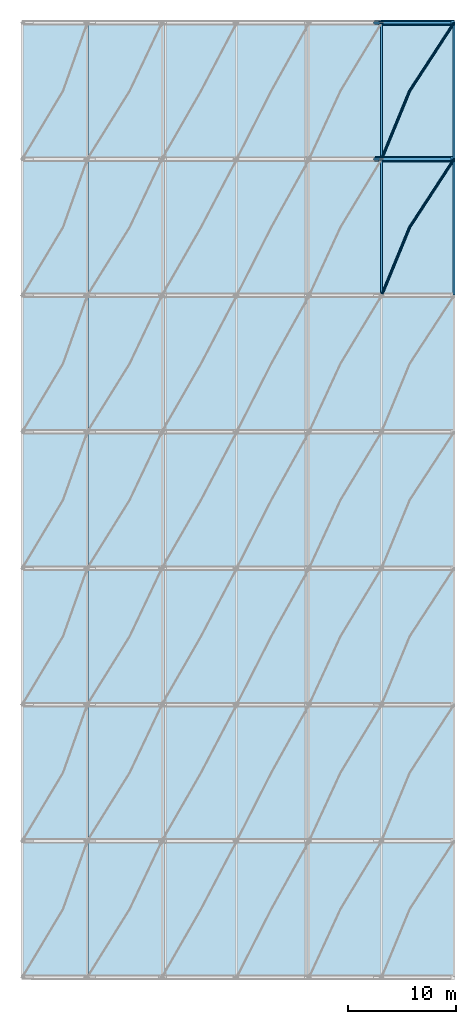
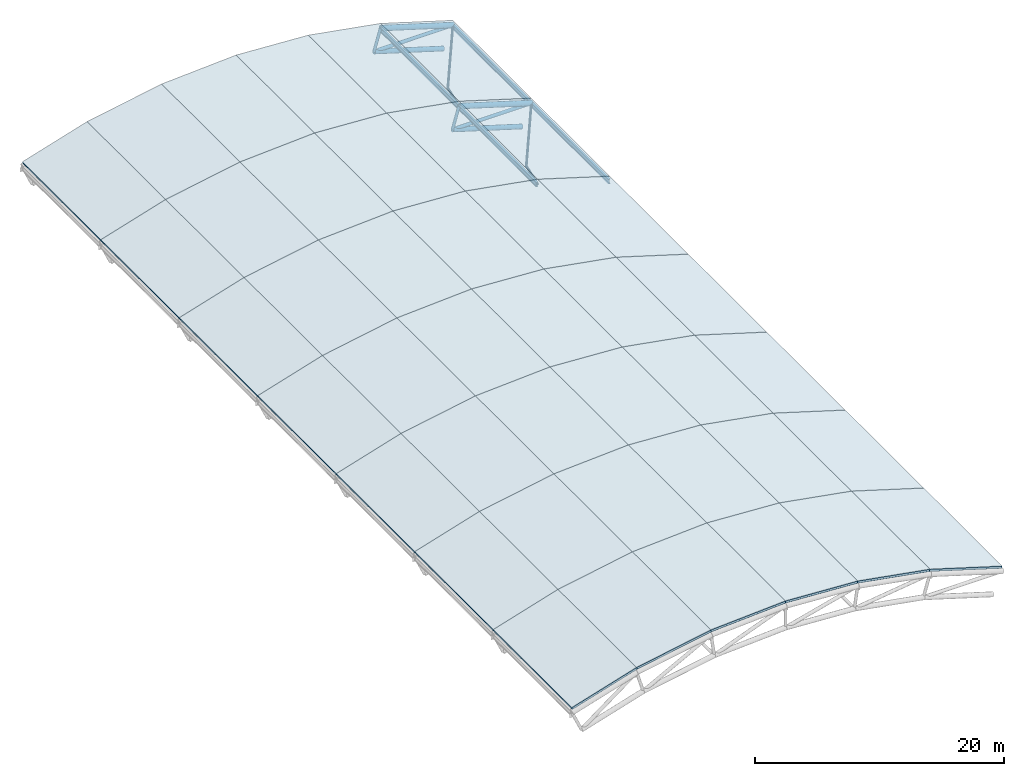
# One storey, part 12 of 18: 42 slabs, 16 members.
"""IFC4 building model written with IfcOpenShell, lengths in metres."""

import ifcopenshell
import ifcopenshell.guid

model = None  # the IFC model being written
_history = None  # IfcOwnerHistory: only IFC2X3 demands one
_inside = {}  # id of a spatial element -> (the spatial element, [elements in it])
_under = {}  # id of a project, library or spatial element -> (it, [spatial elements below it])
_declared = {}  # id of a project -> (the project, [libraries it declares])
_typed = {}  # id of a type object -> (the type object, [elements of that type])
_made_of = {}  # id of a material, layer set ... -> (it, [elements and type objects made of it])


def new_model(schema):
    """Start an empty IFC model of exactly this schema.

    Asked for "IFC4X3", IfcOpenShell would pick the latest addendum, in which some entities
    have other attributes; the version numbers below select the first issue.
    IFC2X3 requires an IfcOwnerHistory on every rooted entity: one is made here for all.
    """
    global model, _history
    if schema == "IFC4X3":
        model = ifcopenshell.file(schema_version=(4, 3, 0, 0))
    else:
        model = ifcopenshell.file(schema=schema)
    _inside.clear()
    _under.clear()
    _declared.clear()
    _typed.clear()
    _made_of.clear()
    _history = None
    if model.schema == "IFC2X3":
        org = make("IfcOrganization", Name="unknown")
        user = make(
            "IfcPersonAndOrganization",
            ThePerson=make("IfcPerson", FamilyName="unknown"),
            TheOrganization=org,
        )
        app = make(
            "IfcApplication",
            ApplicationDeveloper=org,
            Version="unknown",
            ApplicationFullName="unknown",
            ApplicationIdentifier="unknown",
        )
        _history = make(
            "IfcOwnerHistory",
            OwningUser=user,
            OwningApplication=app,
            ChangeAction="ADDED",
            CreationDate=0,
        )
    return model


def make(cls, **values):
    """One entity of the class cls with the attributes given. An attribute that is None is left unset."""
    return model.create_entity(
        cls, **{name: value for name, value in values.items() if value is not None}
    )


def rooted(cls, **values):
    """An entity with a GlobalId (a new one), such as an element, a storey or a relation."""
    return make(cls, GlobalId=ifcopenshell.guid.new(), OwnerHistory=_history, **values)


def si_unit(unit_type, name, prefix=None):
    """IfcSIUnit, for example si_unit("LENGTHUNIT", "METRE", prefix="MILLI")."""
    return make("IfcSIUnit", UnitType=unit_type, Prefix=prefix, Name=name)


def derived_unit(unit_type, elements):
    """IfcDerivedUnit: a product of units, each with its exponent."""
    return make(
        "IfcDerivedUnit",
        Elements=[
            make("IfcDerivedUnitElement", Unit=unit, Exponent=power)
            for unit, power in elements
        ],
        UnitType=unit_type,
    )


def assignment(units):
    """IfcUnitAssignment: the units of a project."""
    return None if units is None else make("IfcUnitAssignment", Units=units)


def point(xyz):
    """IfcCartesianPoint."""
    return None if xyz is None else make("IfcCartesianPoint", Coordinates=xyz)


def direction(xyz):
    """IfcDirection."""
    return None if xyz is None else make("IfcDirection", DirectionRatios=xyz)


def frame(location, z_axis=None, x_axis=None):
    """IfcAxis2Placement3D, a coordinate frame: its origin and axes. An axis left out is left unset."""
    return make(
        "IfcAxis2Placement3D",
        Location=point(location),
        Axis=direction(z_axis),
        RefDirection=direction(x_axis),
    )


def frame_2d(location, x_axis=None):
    """IfcAxis2Placement2D, a coordinate frame in the plane: its origin and x axis."""
    return make(
        "IfcAxis2Placement2D", Location=point(location), RefDirection=direction(x_axis)
    )


def origin():
    """The frame at (0, 0, 0) with its axes left unset."""
    return frame((0.0, 0.0, 0.0))


def origin_2d():
    """The frame at (0, 0) in the plane with its x axis left unset."""
    return frame_2d((0.0, 0.0))


def place(relative_to, where):
    """IfcLocalPlacement: puts the frame where relative to a parent placement (None: the world)."""
    return make(
        "IfcLocalPlacement", PlacementRelTo=relative_to, RelativePlacement=where
    )


def context(
    kind, dimensions, precision=None, world=None, true_north=None, identifier=None
):
    """IfcGeometricRepresentationContext, for example the 3D "Model" context."""
    return make(
        "IfcGeometricRepresentationContext",
        ContextIdentifier=identifier,
        ContextType=kind,
        CoordinateSpaceDimension=dimensions,
        Precision=precision,
        WorldCoordinateSystem=world,
        TrueNorth=true_north,
    )


def subcontext(parent, identifier, kind, view, scale=None):
    """IfcGeometricRepresentationSubContext, for example "Body" below "Model"."""
    return make(
        "IfcGeometricRepresentationSubContext",
        ContextIdentifier=identifier,
        ContextType=kind,
        ParentContext=parent,
        TargetScale=scale,
        TargetView=view,
    )


def project(units=None, contexts=None):
    """IfcProject with its units and contexts."""
    return rooted(
        "IfcProject",
        Name="project",
        RepresentationContexts=contexts,
        UnitsInContext=assignment(units),
    )


def spatial(cls, under=None, at=None, **own):
    """A site, building, storey or space (cls), placed at a placement, below another one or the project."""
    s = rooted(cls, ObjectPlacement=at, **own)
    if under is not None:
        _under.setdefault(under.id(), (under, []))[1].append(s)
    return s


def polyline(points):
    """IfcPolyline through the points."""
    return make("IfcPolyline", Points=[point(p) for p in points])


def profile(cls, at=None, kind="AREA", **sizes):
    """A parametric profile (cls). Its sizes go by their IFC names, for example OverallWidth=200.0."""
    return make(cls, ProfileType=kind, Position=at, **sizes)


def hollow_circle(**sizes):
    """IfcCircleHollowProfileDef."""
    return profile("IfcCircleHollowProfileDef", **sizes)


def i_section(**sizes):
    """IfcIShapeProfileDef."""
    return profile("IfcIShapeProfileDef", **sizes)


def outline(outer, holes=None, kind="AREA"):
    """IfcArbitraryClosedProfileDef: a profile drawn as a closed curve; with holes, ...WithVoids."""
    if holes is None:
        return make("IfcArbitraryClosedProfileDef", ProfileType=kind, OuterCurve=outer)
    return make(
        "IfcArbitraryProfileDefWithVoids",
        ProfileType=kind,
        OuterCurve=outer,
        InnerCurves=holes,
    )


def extrude(swept, where, along, depth):
    """IfcExtrudedAreaSolid: the profile swept, set in the frame where, extruded along a direction by depth."""
    return make(
        "IfcExtrudedAreaSolid",
        SweptArea=swept,
        Position=where,
        ExtrudedDirection=direction(along),
        Depth=depth,
    )


def shape(context_of_items, identifier, shape_type, items):
    """IfcShapeRepresentation: the items that make up one representation, for example the "Body"."""
    return make(
        "IfcShapeRepresentation",
        ContextOfItems=context_of_items,
        RepresentationIdentifier=identifier,
        RepresentationType=shape_type,
        Items=items,
    )


def material(Name=None, Category=None):
    """IfcMaterial."""
    return make("IfcMaterial", Name=Name, Category=Category)


def layer(
    of_material, thickness, ventilated=None, Name=None, Category=None, Priority=None
):
    """IfcMaterialLayer: one layer of a wall or slab, of a material (None: an air gap)."""
    return make(
        "IfcMaterialLayer",
        Material=of_material,
        LayerThickness=thickness,
        IsVentilated=ventilated,
        Name=Name,
        Category=Category,
        Priority=Priority,
    )


def layer_set(layers, Name=None):
    """IfcMaterialLayerSet."""
    return make("IfcMaterialLayerSet", MaterialLayers=layers, LayerSetName=Name)


def material_profile(
    of_material, cross_section, Name=None, Category=None, Priority=None
):
    """IfcMaterialProfile: a cross section and its material."""
    return make(
        "IfcMaterialProfile",
        Name=Name,
        Material=of_material,
        Profile=cross_section,
        Priority=Priority,
        Category=Category,
    )


def profile_set(profiles, Name=None, composite=None):
    """IfcMaterialProfileSet."""
    return make(
        "IfcMaterialProfileSet",
        Name=Name,
        MaterialProfiles=profiles,
        CompositeProfile=composite,
    )


def made_of(thing, what):
    """Note that an element or type object is made of a material, layer set ...; save() writes the relation."""
    if what is not None:
        _made_of.setdefault(what.id(), (what, []))[1].append(thing)
    return thing


def type_object(cls, material=None, **own):
    """A type object (cls), such as IfcWallType, which elements share."""
    return made_of(rooted(cls, **own), material)


def element(
    cls,
    number,
    at=None,
    inside=None,
    cuts=None,
    type_object=None,
    material=None,
    context=None,
    identifier="Body",
    shape_type=None,
    held_by="IfcProductDefinitionShape",
    body=None,
    shapes=None,
    **own,
):
    """One element of the class cls, such as IfcWall. Its Tag is "e" and its number.

    at: its placement. inside: the storey or other place that contains it. cuts: it is an
    opening in that element (IfcRelVoidsElement). A single representation is given by context,
    identifier, shape_type and body (its items); several are given by shapes. held_by: the class
    of the entity that holds the representations. save() writes the other relations.
    """
    e = rooted(cls, Tag="e%d" % number, ObjectPlacement=at, **own)
    if body is not None:
        shapes = [shape(context, identifier, shape_type, body)]
    if shapes is not None:
        e.Representation = make(held_by, Representations=shapes)
    if inside is not None:
        _inside.setdefault(inside.id(), (inside, []))[1].append(e)
    if cuts is not None:
        rooted(
            "IfcRelVoidsElement", RelatingBuildingElement=cuts, RelatedOpeningElement=e
        )
    if type_object is not None:
        _typed.setdefault(type_object.id(), (type_object, []))[1].append(e)
    return made_of(e, material)


def aggregate(whole, parts):
    """IfcRelAggregates: a whole, such as a stair, and the parts it consists of."""
    return rooted("IfcRelAggregates", RelatingObject=whole, RelatedObjects=parts)


def save(model, path):
    """Write the relations noted so far, then the file.

    IfcRelAggregates (storeys below a building ...), IfcRelContainedInSpatialStructure (elements
    in a storey), IfcRelDefinesByType, IfcRelAssociatesMaterial and IfcRelDeclares: one each for
    every whole, place, type object, material and project.
    """
    for whole, parts in _under.values():
        aggregate(whole, parts)
    for where, things in _inside.values():
        rooted(
            "IfcRelContainedInSpatialStructure",
            RelatedElements=things,
            RelatingStructure=where,
        )
    for kind, things in _typed.values():
        rooted("IfcRelDefinesByType", RelatedObjects=things, RelatingType=kind)
    for what, things in _made_of.values():
        rooted("IfcRelAssociatesMaterial", RelatedObjects=things, RelatingMaterial=what)
    for by, libraries in _declared.values():
        rooted("IfcRelDeclares", RelatingContext=by, RelatedDefinitions=libraries)
    model.write(path)


model = new_model("IFC4")

# Units and contexts
model_context = context("Model", 3, precision=1e-05, world=origin(), true_north=direction((0.0, 1.0)))
body_context = subcontext(model_context, "Body", "Model", "MODEL_VIEW")
ifc_project = project(units=[si_unit("LENGTHUNIT", "METRE"), si_unit("AREAUNIT", "SQUARE_METRE"), si_unit("VOLUMEUNIT", "CUBIC_METRE"), si_unit("PLANEANGLEUNIT", "RADIAN"), si_unit("MASSUNIT", "GRAM", prefix="KILO"), derived_unit("THERMALTRANSMITTANCEUNIT", [(si_unit("MASSUNIT", "GRAM", prefix="KILO"), 1), (si_unit("TIMEUNIT", "SECOND"), -3), (si_unit("THERMODYNAMICTEMPERATUREUNIT", "KELVIN"), -1)])], contexts=[model_context])

# Site, building, storey
site_placement = place(None, origin())
site = spatial("IfcSite", under=ifc_project, at=site_placement, CompositionType="ELEMENT")
building_placement = place(site_placement, origin())
building = spatial("IfcBuilding", under=site, at=building_placement, Name="Valcora Ridge Arena", CompositionType="ELEMENT")
storey_placement = place(building_placement, frame((0.0, 0.0, 39.800048828125)))
storey = spatial("IfcBuildingStorey", under=building, at=storey_placement, Name="RF", CompositionType="ELEMENT", Elevation=39.800048828125)

# Members
ifc_material_1 = material(Name="Steel ASTM A572 Grade 50", Category="steel")
ifc_material_profile_1 = material_profile(ifc_material_1, i_section(OverallWidth=0.18994140625, OverallDepth=0.45703125, WebThickness=0.009033203125, FlangeThickness=0.014404296875, FilletRadius=0.014892578125, at=origin_2d()), Name="W18X50")
ifc_profile_set_1 = profile_set([ifc_material_profile_1], Name="Steel ASTM A572 Grade 50")
member_type_1 = type_object("IfcMemberType", Name="TY-MEMBER-PUR-W18X50", PredefinedType="PURLIN", material=ifc_profile_set_1)
for number, where, z_axis, x_axis, name in (
    (1, (69.199951171875, 83.050048828125, -0.510986328125), (0.0, 1.0, 0.0), (-1.0, 0.0, 0.0), "PUR-W18X50 SF-PR-PUR-W18X50-0068"),
    (2, (75.89990234375, 83.050048828125, -2.565185546875), (0.0, 1.0, 0.0), (-1.0, 0.0, 0.0), "PUR-W18X50 SF-PR-PUR-W18X50-0069"),
    (3, (69.199951171875, 95.64990234375, -0.510986328125), (0.0, 1.0, 0.0), (-1.0, 0.0, 0.0), "PUR-W18X50 SF-PR-PUR-W18X50-0080"),
    (4, (75.89990234375, 95.64990234375, -2.565185546875), (0.0, 1.0, 0.0), (-1.0, 0.0, 0.0), "PUR-W18X50 SF-PR-PUR-W18X50-0081"),
):
    element("IfcMember", number, at=place(storey_placement, frame(where, z_axis=z_axis, x_axis=x_axis)), inside=storey, type_object=member_type_1, Name=name, PredefinedType="PURLIN", context=body_context, shape_type="SweptSolid", body=[
        extrude(i_section(OverallWidth=0.18994140625, OverallDepth=0.45703125, WebThickness=0.009033203125, FlangeThickness=0.014404296875, FilletRadius=0.014892578125, at=origin_2d()), origin(), (0.0, 0.0, 1.0), 12.5),
    ])
ifc_material_2 = material(Name="Steel ASTM A500 Grade C", Category="steel")
ifc_material_profile_2 = material_profile(ifc_material_2, hollow_circle(Radius=0.228515625, WallThickness=0.01611328125, at=origin_2d()), Name="CHS457X16")
ifc_profile_set_2 = profile_set([ifc_material_profile_2], Name="Steel ASTM A500 Grade C")
member_type_2 = type_object("IfcMemberType", Name="TY-MEMBER-SFBC-457", PredefinedType="CHORD", material=ifc_profile_set_2)
for number, where, z_axis, x_axis, name in (
    (5, (68.594482421875, 95.60009765625, -2.509521484375), (0.956519455881, 0.0, -0.291668528508), (0.0, 1.0, 0.0), "SFBC-457 Space Frame Bottom Chord"),
    (6, (68.594482421875, 108.199951171875, -2.509521484375), (0.956519455881, 0.0, -0.291668528508), (0.0, 1.0, 0.0), "SFBC-457 Space Frame Bottom Chord"),
):
    element("IfcMember", number, at=place(storey_placement, frame(where, z_axis=z_axis, x_axis=x_axis)), inside=storey, type_object=member_type_2, Name=name, PredefinedType="CHORD", context=body_context, shape_type="SweptSolid", body=[
        extrude(hollow_circle(Radius=0.228515625, WallThickness=0.01611328125, at=origin_2d()), origin(), (0.0, 0.0, 1.0), 6.68798828125),
    ])
ifc_material_profile_3 = material_profile(ifc_material_2, hollow_circle(Radius=0.136474609375, WallThickness=0.012451171875, at=origin_2d()), Name="CHS273X12")
ifc_profile_set_3 = profile_set([ifc_material_profile_3], Name="Steel ASTM A500 Grade C")
member_type_3 = type_object("IfcMemberType", Name="TY-MEMBER-SFKP-273", PredefinedType="POST", material=ifc_profile_set_3)
for number, where, z_axis, x_axis, name in (
    (7, (68.594482421875, 95.60009765625, -2.509521484375), (0.279662222876, 0.0, 0.960098453856), (0.0, 1.0, 0.0), "SFKP-273 Space Frame King Post"),
    (8, (68.594482421875, 108.199951171875, -2.509521484375), (0.279662222876, 0.0, 0.960098453856), (0.0, 1.0, 0.0), "SFKP-273 Space Frame King Post"),
):
    element("IfcMember", number, at=place(storey_placement, frame(where, z_axis=z_axis, x_axis=x_axis)), inside=storey, type_object=member_type_3, Name=name, PredefinedType="POST", context=body_context, shape_type="SweptSolid", body=[
        extrude(hollow_circle(Radius=0.136474609375, WallThickness=0.012451171875, at=origin_2d()), origin(), (0.0, 0.0, 1.0), 2.1650390625),
    ])
ifc_material_profile_4 = material_profile(ifc_material_2, hollow_circle(Radius=0.109619140625, WallThickness=0.010009765625, at=origin_2d()), Name="CHS219X10")
ifc_profile_set_4 = profile_set([ifc_material_profile_4], Name="Steel ASTM A500 Grade C")
member_type_4 = type_object("IfcMemberType", Name="TY-MEMBER-SFST-219", PredefinedType="STRUT", material=ifc_profile_set_4)
member_1_placement = place(storey_placement, frame((71.79296875, 89.300048828125, -3.37841796875), z_axis=(-0.349318118915, -0.848710484756, 0.39707350058), x_axis=(0.924735975959, -0.380609215294, 0.0)))
element("IfcMember", 9, at=member_1_placement, inside=storey, type_object=member_type_4, Name="SFST-219 Space Frame Tie Strut", PredefinedType="STRUT", context=body_context, shape_type="SweptSolid", body=[
    extrude(hollow_circle(Radius=0.109619140625, WallThickness=0.010009765625, at=origin_2d()), origin(), (0.0, 0.0, 1.0), 7.423095703125),
])
member_2_placement = place(storey_placement, frame((71.79296875, 89.300048828125, -3.37841796875), z_axis=(0.542194744205, 0.831728413638, 0.119384694598), x_axis=(-0.837719724529, 0.546100414882, 0.0)))
element("IfcMember", 10, at=member_2_placement, inside=storey, type_object=member_type_4, Name="SFST-219 Space Frame Tie Strut", PredefinedType="STRUT", context=body_context, shape_type="SweptSolid", body=[
    extrude(hollow_circle(Radius=0.109619140625, WallThickness=0.010009765625, at=origin_2d()), origin(), (0.0, 0.0, 1.0), 7.57470703125),
])
member_3_placement = place(storey_placement, frame((71.79296875, 101.89990234375, -3.37841796875), z_axis=(-0.349327869847, -0.848701285523, 0.397084584565), x_axis=(0.924730784445, -0.38062182846, 0.0)))
element("IfcMember", 11, at=member_3_placement, inside=storey, type_object=member_type_4, Name="SFST-219 Space Frame Tie Strut", PredefinedType="STRUT", context=body_context, shape_type="SweptSolid", body=[
    extrude(hollow_circle(Radius=0.109619140625, WallThickness=0.010009765625, at=origin_2d()), origin(), (0.0, 0.0, 1.0), 7.4228515625),
])
member_4_placement = place(storey_placement, frame((71.79296875, 101.89990234375, -3.37841796875), z_axis=(0.542194744205, 0.831728413638, 0.119384694598), x_axis=(-0.837719724529, 0.546100414882, 0.0)))
element("IfcMember", 12, at=member_4_placement, inside=storey, type_object=member_type_4, Name="SFST-219 Space Frame Tie Strut", PredefinedType="STRUT", context=body_context, shape_type="SweptSolid", body=[
    extrude(hollow_circle(Radius=0.109619140625, WallThickness=0.010009765625, at=origin_2d()), origin(), (0.0, 0.0, 1.0), 7.57470703125),
])
ifc_material_profile_5 = material_profile(ifc_material_2, hollow_circle(Radius=0.25390625, WallThickness=0.01611328125, at=origin_2d()), Name="CHS508X16")
ifc_profile_set_5 = profile_set([ifc_material_profile_5], Name="Steel ASTM A500 Grade C")
member_type_5 = type_object("IfcMemberType", Name="TY-MEMBER-SFTC-508", PredefinedType="CHORD", material=ifc_profile_set_5)
for number, where, z_axis, x_axis, name in (
    (13, (69.199951171875, 95.60009765625, -0.430908203125), (0.956510795104, 0.0, -0.29169692979), (0.0, 1.0, 0.0), "SFTC-508 Space Frame Top Chord"),
    (14, (69.199951171875, 108.199951171875, -0.430908203125), (0.956510795104, 0.0, -0.29169692979), (0.0, 1.0, 0.0), "SFTC-508 Space Frame Top Chord"),
):
    element("IfcMember", number, at=place(storey_placement, frame(where, z_axis=z_axis, x_axis=x_axis)), inside=storey, type_object=member_type_5, Name=name, PredefinedType="CHORD", context=body_context, shape_type="SweptSolid", body=[
        extrude(hollow_circle(Radius=0.25390625, WallThickness=0.01611328125, at=origin_2d()), origin(), (0.0, 0.0, 1.0), 7.004638671875),
    ])
ifc_material_profile_6 = material_profile(ifc_material_2, hollow_circle(Radius=0.161865234375, WallThickness=0.012451171875, at=origin_2d()), Name="CHS323X12")
ifc_profile_set_6 = profile_set([ifc_material_profile_6], Name="Steel ASTM A500 Grade C")
member_type_6 = type_object("IfcMemberType", Name="TY-MEMBER-SFWB-323", PredefinedType="BRACE", material=ifc_profile_set_6)
for number, where, z_axis, x_axis, name in (
    (15, (68.75439453125, 95.60009765625, -2.508544921875), (0.999988477741, 0.0, 0.004800456742), (0.0, 1.0, 0.0), "SFWB-323 Space Frame Diagonal Brace"),
    (16, (68.75439453125, 108.199951171875, -2.508544921875), (0.999988477741, 0.0, 0.004800456742), (0.0, 1.0, 0.0), "SFWB-323 Space Frame Diagonal Brace"),
):
    element("IfcMember", number, at=place(storey_placement, frame(where, z_axis=z_axis, x_axis=x_axis)), inside=storey, type_object=member_type_6, Name=name, PredefinedType="BRACE", context=body_context, shape_type="SweptSolid", body=[
        extrude(hollow_circle(Radius=0.161865234375, WallThickness=0.012451171875, at=origin_2d()), origin(), (0.0, 0.0, 1.0), 6.86572265625),
    ])

# Slabs
ifc_material_3 = material(Name="Concrete C40/50", Category="concrete")
ifc_layer_1 = layer(ifc_material_3, 0.219970703125, Name="Concrete C40/50")
ifc_layer_set_1 = layer_set([ifc_layer_1], Name="Concrete C40/50")
slab_type_1 = type_object("IfcSlabType", Name="TY-SLAB-RF-ARC-S03", PredefinedType="ROOF", material=ifc_layer_set_1)
slab_1_placement = place(storey_placement, frame((36.0, 20.0, -1.920166015625), z_axis=(-0.292775980586, 0.0, 0.956181062975), x_axis=(0.956181062975, 0.0, 0.292775980586)))
element("IfcSlab", 17, at=slab_1_placement, inside=storey, type_object=slab_type_1, Name="RF-ARC-S03 SLB-RF-0003", PredefinedType="ROOF", context=body_context, shape_type="SweptSolid", body=[
    extrude(outline(polyline([(0.0, 0.0), (6.274962172261239, 0.0), (6.274962172261239, 12.60009765625), (0.0, 12.60009765625), (0.0, 0.0)])), origin(), (0.0, 0.0, -1.0), 0.219970703125),
])
slab_2_placement = place(storey_placement, frame((36.0, 32.60009765625, -1.920166015625), z_axis=(-0.292775980586, 0.0, 0.956181062975), x_axis=(0.956181062975, 0.0, 0.292775980586)))
element("IfcSlab", 18, at=slab_2_placement, inside=storey, type_object=slab_type_1, Name="RF-ARC-S03 SLB-RF-0015", PredefinedType="ROOF", context=body_context, shape_type="SweptSolid", body=[
    extrude(outline(polyline([(0.0, 0.0), (6.274962172261239, 0.0), (6.274962172261239, 12.599853515625), (0.0, 12.599853515625), (0.0, 0.0)])), origin(), (0.0, 0.0, -1.0), 0.219970703125),
])
slab_3_placement = place(storey_placement, frame((36.0, 45.199951171875, -1.920166015625), z_axis=(-0.292775980586, 0.0, 0.956181062975), x_axis=(0.956181062975, 0.0, 0.292775980586)))
element("IfcSlab", 19, at=slab_3_placement, inside=storey, type_object=slab_type_1, Name="RF-ARC-S03 SLB-RF-0027", PredefinedType="ROOF", context=body_context, shape_type="SweptSolid", body=[
    extrude(outline(polyline([(0.0, 0.0), (6.274962172261239, 0.0), (6.274962172261239, 12.60009765625), (0.0, 12.60009765625), (0.0, 0.0)])), origin(), (0.0, 0.0, -1.0), 0.219970703125),
])
slab_4_placement = place(storey_placement, frame((36.0, 57.800048828125, -1.920166015625), z_axis=(-0.292775980586, 0.0, 0.956181062975), x_axis=(0.956181062975, 0.0, 0.292775980586)))
element("IfcSlab", 20, at=slab_4_placement, inside=storey, type_object=slab_type_1, Name="RF-ARC-S03 SLB-RF-0039", PredefinedType="ROOF", context=body_context, shape_type="SweptSolid", body=[
    extrude(outline(polyline([(0.0, 0.0), (6.274962172261239, 0.0), (6.274962172261239, 12.599853515625), (0.0, 12.599853515625), (0.0, 0.0)])), origin(), (0.0, 0.0, -1.0), 0.219970703125),
])
for number, where, z_axis, x_axis, name in (
    (21, (36.0, 70.39990234375, -1.920166015625), (-0.292775980586, 0.0, 0.956181062975), (0.956181062975, 0.0, 0.292775980586), "RF-ARC-S03 SLB-RF-0051"),
    (22, (36.0, 83.0, -1.920166015625), (-0.292775980586, 0.0, 0.956181062975), (0.956181062975, 0.0, 0.292775980586), "RF-ARC-S03 SLB-RF-0063"),
):
    element("IfcSlab", number, at=place(storey_placement, frame(where, z_axis=z_axis, x_axis=x_axis)), inside=storey, type_object=slab_type_1, Name=name, PredefinedType="ROOF", context=body_context, shape_type="SweptSolid", body=[
        extrude(outline(polyline([(0.0, 0.0), (6.274962172261239, 0.0), (6.274962172261239, 12.60009765625), (0.0, 12.60009765625), (0.0, 0.0)])), origin(), (0.0, 0.0, -1.0), 0.219970703125),
    ])
slab_5_placement = place(storey_placement, frame((36.0, 95.60009765625, -1.920166015625), z_axis=(-0.292775980586, 0.0, 0.956181062975), x_axis=(0.956181062975, 0.0, 0.292775980586)))
element("IfcSlab", 23, at=slab_5_placement, inside=storey, type_object=slab_type_1, Name="RF-ARC-S03 SLB-RF-0075", PredefinedType="ROOF", context=body_context, shape_type="SweptSolid", body=[
    extrude(outline(polyline([(0.0, 0.0), (6.274962172261239, 0.0), (6.274962172261239, 12.599853515625), (0.0, 12.599853515625), (0.0, 0.0)])), origin(), (0.0, 0.0, -1.0), 0.219970703125),
])
ifc_layer_2 = layer(ifc_material_3, 0.219970703125, Name="Concrete C40/50")
ifc_layer_set_2 = layer_set([ifc_layer_2], Name="Concrete C40/50")
slab_type_2 = type_object("IfcSlabType", Name="TY-SLAB-RF-ARC-S04", PredefinedType="ROOF", material=ifc_layer_set_2)
slab_6_placement = place(storey_placement, frame((42.0, 20.0, -0.0830078125), z_axis=(-0.180517541089, 0.0, 0.983571765231), x_axis=(0.983571765231, 0.0, 0.180517541089)))
element("IfcSlab", 24, at=slab_6_placement, inside=storey, type_object=slab_type_2, Name="RF-ARC-S04 SLB-RF-0004", PredefinedType="ROOF", context=body_context, shape_type="SweptSolid", body=[
    extrude(outline(polyline([(0.0, 0.0), (7.015148856098824, 0.0), (7.015148856098824, 12.60009765625), (0.0, 12.60009765625), (0.0, 0.0)])), origin(), (0.0, 0.0, -1.0), 0.219970703125),
])
slab_7_placement = place(storey_placement, frame((42.0, 32.60009765625, -0.0830078125), z_axis=(-0.180517541089, 0.0, 0.983571765231), x_axis=(0.983571765231, 0.0, 0.180517541089)))
element("IfcSlab", 25, at=slab_7_placement, inside=storey, type_object=slab_type_2, Name="RF-ARC-S04 SLB-RF-0016", PredefinedType="ROOF", context=body_context, shape_type="SweptSolid", body=[
    extrude(outline(polyline([(0.0, 0.0), (7.015148856098824, 0.0), (7.015148856098824, 12.599853515625004), (0.0, 12.599853515625004), (0.0, 0.0)])), origin(), (0.0, 0.0, -1.0), 0.219970703125),
])
slab_8_placement = place(storey_placement, frame((42.0, 45.199951171875, -0.0830078125), z_axis=(-0.180517541089, 0.0, 0.983571765231), x_axis=(0.983571765231, 0.0, 0.180517541089)))
element("IfcSlab", 26, at=slab_8_placement, inside=storey, type_object=slab_type_2, Name="RF-ARC-S04 SLB-RF-0028", PredefinedType="ROOF", context=body_context, shape_type="SweptSolid", body=[
    extrude(outline(polyline([(0.0, 0.0), (7.015148856098824, 0.0), (7.015148856098824, 12.60009765625), (0.0, 12.60009765625), (0.0, 0.0)])), origin(), (0.0, 0.0, -1.0), 0.219970703125),
])
slab_9_placement = place(storey_placement, frame((42.0, 57.800048828125, -0.0830078125), z_axis=(-0.180517541089, 0.0, 0.983571765231), x_axis=(0.983571765231, 0.0, 0.180517541089)))
element("IfcSlab", 27, at=slab_9_placement, inside=storey, type_object=slab_type_2, Name="RF-ARC-S04 SLB-RF-0040", PredefinedType="ROOF", context=body_context, shape_type="SweptSolid", body=[
    extrude(outline(polyline([(0.0, 0.0), (7.015148856098824, 0.0), (7.015148856098824, 12.599853515625004), (0.0, 12.599853515625004), (0.0, 0.0)])), origin(), (0.0, 0.0, -1.0), 0.219970703125),
])
for number, where, z_axis, x_axis, name in (
    (28, (42.0, 70.39990234375, -0.0830078125), (-0.180517541089, 0.0, 0.983571765231), (0.983571765231, 0.0, 0.180517541089), "RF-ARC-S04 SLB-RF-0052"),
    (29, (42.0, 83.0, -0.0830078125), (-0.180517541089, 0.0, 0.983571765231), (0.983571765231, 0.0, 0.180517541089), "RF-ARC-S04 SLB-RF-0064"),
):
    element("IfcSlab", number, at=place(storey_placement, frame(where, z_axis=z_axis, x_axis=x_axis)), inside=storey, type_object=slab_type_2, Name=name, PredefinedType="ROOF", context=body_context, shape_type="SweptSolid", body=[
        extrude(outline(polyline([(0.0, 0.0), (7.015148856098824, 0.0), (7.015148856098824, 12.60009765625), (0.0, 12.60009765625), (0.0, 0.0)])), origin(), (0.0, 0.0, -1.0), 0.219970703125),
    ])
slab_10_placement = place(storey_placement, frame((42.0, 95.60009765625, -0.0830078125), z_axis=(-0.180517541089, 0.0, 0.983571765231), x_axis=(0.983571765231, 0.0, 0.180517541089)))
element("IfcSlab", 30, at=slab_10_placement, inside=storey, type_object=slab_type_2, Name="RF-ARC-S04 SLB-RF-0076", PredefinedType="ROOF", context=body_context, shape_type="SweptSolid", body=[
    extrude(outline(polyline([(0.0, 0.0), (7.015148856098824, 0.0), (7.015148856098824, 12.599853515625004), (0.0, 12.599853515625004), (0.0, 0.0)])), origin(), (0.0, 0.0, -1.0), 0.219970703125),
])
ifc_layer_3 = layer(ifc_material_3, 0.219970703125, Name="Concrete C40/50")
ifc_layer_set_3 = layer_set([ifc_layer_3], Name="Concrete C40/50")
slab_type_3 = type_object("IfcSlabType", Name="TY-SLAB-RF-ARC-S05", PredefinedType="ROOF", material=ifc_layer_set_3)
slab_11_placement = place(storey_placement, frame((48.89990234375, 20.0, 1.183349609375), z_axis=(-0.060164976346, 0.0, 0.998188446948), x_axis=(0.998188446948, 0.0, 0.060164976346)))
element("IfcSlab", 31, at=slab_11_placement, inside=storey, type_object=slab_type_3, Name="RF-ARC-S05 SLB-RF-0005", PredefinedType="ROOF", context=body_context, shape_type="SweptSolid", body=[
    extrude(outline(polyline([(0.0, 0.0), (6.92269708302592, 0.0), (6.92269708302592, 12.600097656250004), (0.0, 12.600097656250004), (0.0, 0.0)])), origin(), (0.0, 0.0, -1.0), 0.219970703125),
])
slab_12_placement = place(storey_placement, frame((48.89990234375, 32.60009765625, 1.183349609375), z_axis=(-0.060164976346, 0.0, 0.998188446948), x_axis=(0.998188446948, 0.0, 0.060164976346)))
element("IfcSlab", 32, at=slab_12_placement, inside=storey, type_object=slab_type_3, Name="RF-ARC-S05 SLB-RF-0017", PredefinedType="ROOF", context=body_context, shape_type="SweptSolid", body=[
    extrude(outline(polyline([(0.0, 0.0), (6.92269708302592, 0.0), (6.92269708302592, 12.599853515625), (0.0, 12.599853515625), (0.0, 0.0)])), origin(), (0.0, 0.0, -1.0), 0.219970703125),
])
slab_13_placement = place(storey_placement, frame((48.89990234375, 45.199951171875, 1.183349609375), z_axis=(-0.060164976346, 0.0, 0.998188446948), x_axis=(0.998188446948, 0.0, 0.060164976346)))
element("IfcSlab", 33, at=slab_13_placement, inside=storey, type_object=slab_type_3, Name="RF-ARC-S05 SLB-RF-0029", PredefinedType="ROOF", context=body_context, shape_type="SweptSolid", body=[
    extrude(outline(polyline([(0.0, 0.0), (6.92269708302592, 0.0), (6.92269708302592, 12.600097656250004), (0.0, 12.600097656250004), (0.0, 0.0)])), origin(), (0.0, 0.0, -1.0), 0.219970703125),
])
slab_14_placement = place(storey_placement, frame((48.89990234375, 57.800048828125, 1.183349609375), z_axis=(-0.060164976346, 0.0, 0.998188446948), x_axis=(0.998188446948, 0.0, 0.060164976346)))
element("IfcSlab", 34, at=slab_14_placement, inside=storey, type_object=slab_type_3, Name="RF-ARC-S05 SLB-RF-0041", PredefinedType="ROOF", context=body_context, shape_type="SweptSolid", body=[
    extrude(outline(polyline([(0.0, 0.0), (6.92269708302592, 0.0), (6.92269708302592, 12.599853515625), (0.0, 12.599853515625), (0.0, 0.0)])), origin(), (0.0, 0.0, -1.0), 0.219970703125),
])
for number, where, z_axis, x_axis, name in (
    (35, (48.89990234375, 70.39990234375, 1.183349609375), (-0.060164976346, 0.0, 0.998188446948), (0.998188446948, 0.0, 0.060164976346), "RF-ARC-S05 SLB-RF-0053"),
    (36, (48.89990234375, 83.0, 1.183349609375), (-0.060164976346, 0.0, 0.998188446948), (0.998188446948, 0.0, 0.060164976346), "RF-ARC-S05 SLB-RF-0065"),
):
    element("IfcSlab", number, at=place(storey_placement, frame(where, z_axis=z_axis, x_axis=x_axis)), inside=storey, type_object=slab_type_3, Name=name, PredefinedType="ROOF", context=body_context, shape_type="SweptSolid", body=[
        extrude(outline(polyline([(0.0, 0.0), (6.92269708302592, 0.0), (6.92269708302592, 12.600097656250004), (0.0, 12.600097656250004), (0.0, 0.0)])), origin(), (0.0, 0.0, -1.0), 0.219970703125),
    ])
slab_15_placement = place(storey_placement, frame((48.89990234375, 95.60009765625, 1.183349609375), z_axis=(-0.060164976346, 0.0, 0.998188446948), x_axis=(0.998188446948, 0.0, 0.060164976346)))
element("IfcSlab", 37, at=slab_15_placement, inside=storey, type_object=slab_type_3, Name="RF-ARC-S05 SLB-RF-0077", PredefinedType="ROOF", context=body_context, shape_type="SweptSolid", body=[
    extrude(outline(polyline([(0.0, 0.0), (6.92269708302592, 0.0), (6.92269708302592, 12.599853515625), (0.0, 12.599853515625), (0.0, 0.0)])), origin(), (0.0, 0.0, -1.0), 0.219970703125),
])
ifc_layer_4 = layer(ifc_material_3, 0.219970703125, Name="Concrete C40/50")
ifc_layer_set_4 = layer_set([ifc_layer_4], Name="Concrete C40/50")
slab_type_4 = type_object("IfcSlabType", Name="TY-SLAB-RF-ARC-S06", PredefinedType="ROOF", material=ifc_layer_set_4)
slab_16_placement = place(storey_placement, frame((55.81005859375, 20.0, 1.599853515625), z_axis=(0.058254307699, 0.0, 0.998301775835), x_axis=(0.998301775835, 0.0, -0.058254307699)))
element("IfcSlab", 38, at=slab_16_placement, inside=storey, type_object=slab_type_4, Name="RF-ARC-S06 SLB-RF-0006", PredefinedType="ROOF", context=body_context, shape_type="SweptSolid", body=[
    extrude(outline(polyline([(0.0, 0.0), (6.701321752790608, 0.0), (6.701321752790608, 12.60009765625), (0.0, 12.60009765625), (0.0, 0.0)])), origin(), (0.0, 0.0, -1.0), 0.219970703125),
])
slab_17_placement = place(storey_placement, frame((55.81005859375, 32.60009765625, 1.599853515625), z_axis=(0.058254307699, 0.0, 0.998301775835), x_axis=(0.998301775835, 0.0, -0.058254307699)))
element("IfcSlab", 39, at=slab_17_placement, inside=storey, type_object=slab_type_4, Name="RF-ARC-S06 SLB-RF-0018", PredefinedType="ROOF", context=body_context, shape_type="SweptSolid", body=[
    extrude(outline(polyline([(0.0, 0.0), (6.701321752790608, 0.0), (6.701321752790608, 12.599853515625), (0.0, 12.599853515625), (0.0, 0.0)])), origin(), (0.0, 0.0, -1.0), 0.219970703125),
])
slab_18_placement = place(storey_placement, frame((55.81005859375, 45.199951171875, 1.599853515625), z_axis=(0.058254307699, 0.0, 0.998301775835), x_axis=(0.998301775835, 0.0, -0.058254307699)))
element("IfcSlab", 40, at=slab_18_placement, inside=storey, type_object=slab_type_4, Name="RF-ARC-S06 SLB-RF-0030", PredefinedType="ROOF", context=body_context, shape_type="SweptSolid", body=[
    extrude(outline(polyline([(0.0, 0.0), (6.701321752790608, 0.0), (6.701321752790608, 12.60009765625), (0.0, 12.60009765625), (0.0, 0.0)])), origin(), (0.0, 0.0, -1.0), 0.219970703125),
])
slab_19_placement = place(storey_placement, frame((55.81005859375, 57.800048828125, 1.599853515625), z_axis=(0.058254307699, 0.0, 0.998301775835), x_axis=(0.998301775835, 0.0, -0.058254307699)))
element("IfcSlab", 41, at=slab_19_placement, inside=storey, type_object=slab_type_4, Name="RF-ARC-S06 SLB-RF-0042", PredefinedType="ROOF", context=body_context, shape_type="SweptSolid", body=[
    extrude(outline(polyline([(0.0, 0.0), (6.701321752790608, 0.0), (6.701321752790608, 12.599853515625), (0.0, 12.599853515625), (0.0, 0.0)])), origin(), (0.0, 0.0, -1.0), 0.219970703125),
])
for number, where, z_axis, x_axis, name in (
    (42, (55.81005859375, 70.39990234375, 1.599853515625), (0.058254307699, 0.0, 0.998301775835), (0.998301775835, 0.0, -0.058254307699), "RF-ARC-S06 SLB-RF-0054"),
    (43, (55.81005859375, 83.0, 1.599853515625), (0.058254307699, 0.0, 0.998301775835), (0.998301775835, 0.0, -0.058254307699), "RF-ARC-S06 SLB-RF-0066"),
):
    element("IfcSlab", number, at=place(storey_placement, frame(where, z_axis=z_axis, x_axis=x_axis)), inside=storey, type_object=slab_type_4, Name=name, PredefinedType="ROOF", context=body_context, shape_type="SweptSolid", body=[
        extrude(outline(polyline([(0.0, 0.0), (6.701321752790608, 0.0), (6.701321752790608, 12.60009765625), (0.0, 12.60009765625), (0.0, 0.0)])), origin(), (0.0, 0.0, -1.0), 0.219970703125),
    ])
slab_20_placement = place(storey_placement, frame((55.81005859375, 95.60009765625, 1.599853515625), z_axis=(0.058254307699, 0.0, 0.998301775835), x_axis=(0.998301775835, 0.0, -0.058254307699)))
element("IfcSlab", 44, at=slab_20_placement, inside=storey, type_object=slab_type_4, Name="RF-ARC-S06 SLB-RF-0078", PredefinedType="ROOF", context=body_context, shape_type="SweptSolid", body=[
    extrude(outline(polyline([(0.0, 0.0), (6.701321752790608, 0.0), (6.701321752790608, 12.599853515625), (0.0, 12.599853515625), (0.0, 0.0)])), origin(), (0.0, 0.0, -1.0), 0.219970703125),
])
ifc_layer_5 = layer(ifc_material_3, 0.219970703125, Name="Concrete C40/50")
ifc_layer_set_5 = layer_set([ifc_layer_5], Name="Concrete C40/50")
slab_type_5 = type_object("IfcSlabType", Name="TY-SLAB-RF-ARC-S07", PredefinedType="ROOF", material=ifc_layer_set_5)
slab_21_placement = place(storey_placement, frame((62.5, 20.0, 1.20947265625), z_axis=(0.174937500911, 0.0, 0.984579540096), x_axis=(0.984579540096, 0.0, -0.174937500911)))
element("IfcSlab", 45, at=slab_21_placement, inside=storey, type_object=slab_type_5, Name="RF-ARC-S07 SLB-RF-0007", PredefinedType="ROOF", context=body_context, shape_type="SweptSolid", body=[
    extrude(outline(polyline([(0.0, 0.0), (6.804885638009689, 0.0), (6.804885638009689, 12.600097656250004), (0.0, 12.600097656250004), (0.0, 0.0)])), origin(), (0.0, 0.0, -1.0), 0.219970703125),
])
slab_22_placement = place(storey_placement, frame((62.5, 32.60009765625, 1.20947265625), z_axis=(0.174937500911, 0.0, 0.984579540096), x_axis=(0.984579540096, 0.0, -0.174937500911)))
element("IfcSlab", 46, at=slab_22_placement, inside=storey, type_object=slab_type_5, Name="RF-ARC-S07 SLB-RF-0019", PredefinedType="ROOF", context=body_context, shape_type="SweptSolid", body=[
    extrude(outline(polyline([(0.0, 0.0), (6.804885638009689, 0.0), (6.804885638009689, 12.599853515624998), (0.0, 12.599853515624998), (0.0, 0.0)])), origin(), (0.0, 0.0, -1.0), 0.219970703125),
])
slab_23_placement = place(storey_placement, frame((62.5, 45.199951171875, 1.20947265625), z_axis=(0.174937500911, 0.0, 0.984579540096), x_axis=(0.984579540096, 0.0, -0.174937500911)))
element("IfcSlab", 47, at=slab_23_placement, inside=storey, type_object=slab_type_5, Name="RF-ARC-S07 SLB-RF-0031", PredefinedType="ROOF", context=body_context, shape_type="SweptSolid", body=[
    extrude(outline(polyline([(0.0, 0.0), (6.804885638009689, 0.0), (6.804885638009689, 12.600097656250004), (0.0, 12.600097656250004), (0.0, 0.0)])), origin(), (0.0, 0.0, -1.0), 0.219970703125),
])
slab_24_placement = place(storey_placement, frame((62.5, 57.800048828125, 1.20947265625), z_axis=(0.174937500911, 0.0, 0.984579540096), x_axis=(0.984579540096, 0.0, -0.174937500911)))
element("IfcSlab", 48, at=slab_24_placement, inside=storey, type_object=slab_type_5, Name="RF-ARC-S07 SLB-RF-0043", PredefinedType="ROOF", context=body_context, shape_type="SweptSolid", body=[
    extrude(outline(polyline([(0.0, 0.0), (6.804885638009689, 0.0), (6.804885638009689, 12.599853515624998), (0.0, 12.599853515624998), (0.0, 0.0)])), origin(), (0.0, 0.0, -1.0), 0.219970703125),
])
for number, where, z_axis, x_axis, name in (
    (49, (62.5, 70.39990234375, 1.20947265625), (0.174937500911, 0.0, 0.984579540096), (0.984579540096, 0.0, -0.174937500911), "RF-ARC-S07 SLB-RF-0055"),
    (50, (62.5, 83.0, 1.20947265625), (0.174937500911, 0.0, 0.984579540096), (0.984579540096, 0.0, -0.174937500911), "RF-ARC-S07 SLB-RF-0067"),
):
    element("IfcSlab", number, at=place(storey_placement, frame(where, z_axis=z_axis, x_axis=x_axis)), inside=storey, type_object=slab_type_5, Name=name, PredefinedType="ROOF", context=body_context, shape_type="SweptSolid", body=[
        extrude(outline(polyline([(0.0, 0.0), (6.804885638009689, 0.0), (6.804885638009689, 12.600097656250004), (0.0, 12.600097656250004), (0.0, 0.0)])), origin(), (0.0, 0.0, -1.0), 0.219970703125),
    ])
slab_25_placement = place(storey_placement, frame((62.5, 95.60009765625, 1.20947265625), z_axis=(0.174937500911, 0.0, 0.984579540096), x_axis=(0.984579540096, 0.0, -0.174937500911)))
element("IfcSlab", 51, at=slab_25_placement, inside=storey, type_object=slab_type_5, Name="RF-ARC-S07 SLB-RF-0079", PredefinedType="ROOF", context=body_context, shape_type="SweptSolid", body=[
    extrude(outline(polyline([(0.0, 0.0), (6.804885638009689, 0.0), (6.804885638009689, 12.599853515624998), (0.0, 12.599853515624998), (0.0, 0.0)])), origin(), (0.0, 0.0, -1.0), 0.219970703125),
])
ifc_layer_6 = layer(ifc_material_3, 0.219970703125, Name="Concrete C40/50")
ifc_layer_set_6 = layer_set([ifc_layer_6], Name="Concrete C40/50")
slab_type_6 = type_object("IfcSlabType", Name="TY-SLAB-RF-ARC-S08", PredefinedType="ROOF", material=ifc_layer_set_6)
slab_26_placement = place(storey_placement, frame((69.199951171875, 20.0, 0.01904296875), z_axis=(0.29169692979, 0.0, 0.956510795104), x_axis=(0.956510795104, 0.0, -0.29169692979)))
element("IfcSlab", 52, at=slab_26_placement, inside=storey, type_object=slab_type_6, Name="RF-ARC-S08 SLB-RF-0008", PredefinedType="ROOF", context=body_context, shape_type="SweptSolid", body=[
    extrude(outline(polyline([(0.0, 0.0), (7.004574549672903, 0.0), (7.004574549672903, 12.60009765625), (0.0, 12.60009765625), (0.0, 0.0)])), origin(), (0.0, 0.0, -1.0), 0.219970703125),
])
slab_27_placement = place(storey_placement, frame((69.199951171875, 32.60009765625, 0.01904296875), z_axis=(0.29169692979, 0.0, 0.956510795104), x_axis=(0.956510795104, 0.0, -0.29169692979)))
element("IfcSlab", 53, at=slab_27_placement, inside=storey, type_object=slab_type_6, Name="RF-ARC-S08 SLB-RF-0020", PredefinedType="ROOF", context=body_context, shape_type="SweptSolid", body=[
    extrude(outline(polyline([(0.0, 0.0), (7.004574549672903, 0.0), (7.004574549672903, 12.599853515625), (0.0, 12.599853515625), (0.0, 0.0)])), origin(), (0.0, 0.0, -1.0), 0.219970703125),
])
slab_28_placement = place(storey_placement, frame((69.199951171875, 45.199951171875, 0.01904296875), z_axis=(0.29169692979, 0.0, 0.956510795104), x_axis=(0.956510795104, 0.0, -0.29169692979)))
element("IfcSlab", 54, at=slab_28_placement, inside=storey, type_object=slab_type_6, Name="RF-ARC-S08 SLB-RF-0032", PredefinedType="ROOF", context=body_context, shape_type="SweptSolid", body=[
    extrude(outline(polyline([(0.0, 0.0), (7.004574549672903, 0.0), (7.004574549672903, 12.60009765625), (0.0, 12.60009765625), (0.0, 0.0)])), origin(), (0.0, 0.0, -1.0), 0.219970703125),
])
slab_29_placement = place(storey_placement, frame((69.199951171875, 57.800048828125, 0.01904296875), z_axis=(0.29169692979, 0.0, 0.956510795104), x_axis=(0.956510795104, 0.0, -0.29169692979)))
element("IfcSlab", 55, at=slab_29_placement, inside=storey, type_object=slab_type_6, Name="RF-ARC-S08 SLB-RF-0044", PredefinedType="ROOF", context=body_context, shape_type="SweptSolid", body=[
    extrude(outline(polyline([(0.0, 0.0), (7.004574549672903, 0.0), (7.004574549672903, 12.599853515625), (0.0, 12.599853515625), (0.0, 0.0)])), origin(), (0.0, 0.0, -1.0), 0.219970703125),
])
for number, where, z_axis, x_axis, name in (
    (56, (69.199951171875, 70.39990234375, 0.01904296875), (0.29169692979, 0.0, 0.956510795104), (0.956510795104, 0.0, -0.29169692979), "RF-ARC-S08 SLB-RF-0056"),
    (57, (69.199951171875, 83.0, 0.01904296875), (0.29169692979, 0.0, 0.956510795104), (0.956510795104, 0.0, -0.29169692979), "RF-ARC-S08 SLB-RF-0068"),
):
    element("IfcSlab", number, at=place(storey_placement, frame(where, z_axis=z_axis, x_axis=x_axis)), inside=storey, type_object=slab_type_6, Name=name, PredefinedType="ROOF", context=body_context, shape_type="SweptSolid", body=[
        extrude(outline(polyline([(0.0, 0.0), (7.004574549672903, 0.0), (7.004574549672903, 12.60009765625), (0.0, 12.60009765625), (0.0, 0.0)])), origin(), (0.0, 0.0, -1.0), 0.219970703125),
    ])
slab_30_placement = place(storey_placement, frame((69.199951171875, 95.60009765625, 0.01904296875), z_axis=(0.29169692979, 0.0, 0.956510795104), x_axis=(0.956510795104, 0.0, -0.29169692979)))
element("IfcSlab", 58, at=slab_30_placement, inside=storey, type_object=slab_type_6, Name="RF-ARC-S08 SLB-RF-0080", PredefinedType="ROOF", context=body_context, shape_type="SweptSolid", body=[
    extrude(outline(polyline([(0.0, 0.0), (7.004574549672903, 0.0), (7.004574549672903, 12.599853515625), (0.0, 12.599853515625), (0.0, 0.0)])), origin(), (0.0, 0.0, -1.0), 0.219970703125),
])

save(model, "model.ifc")
